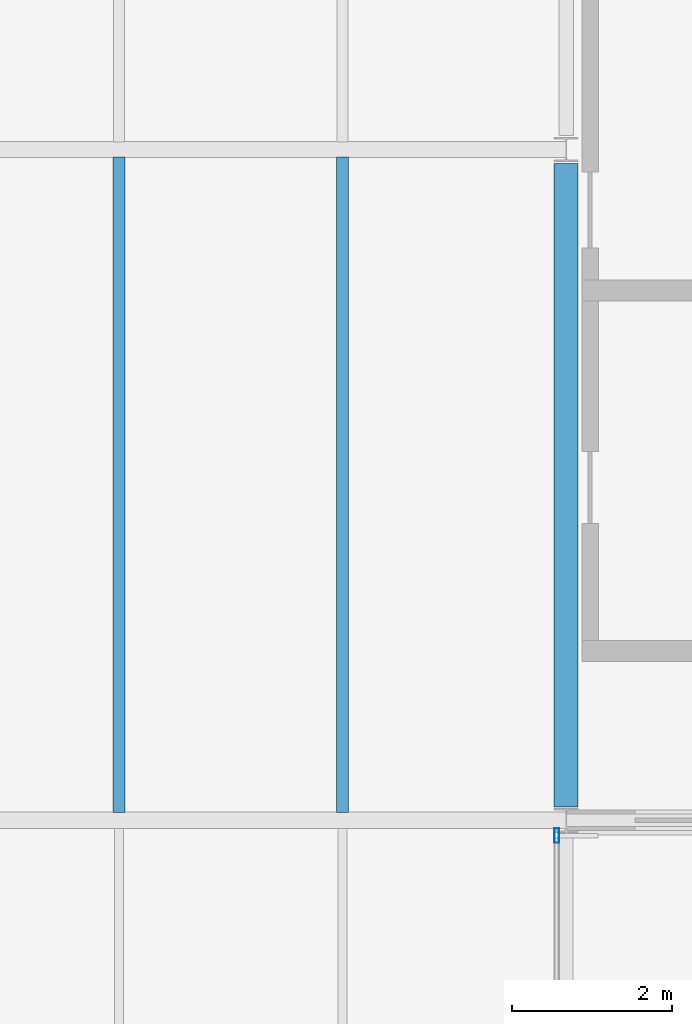
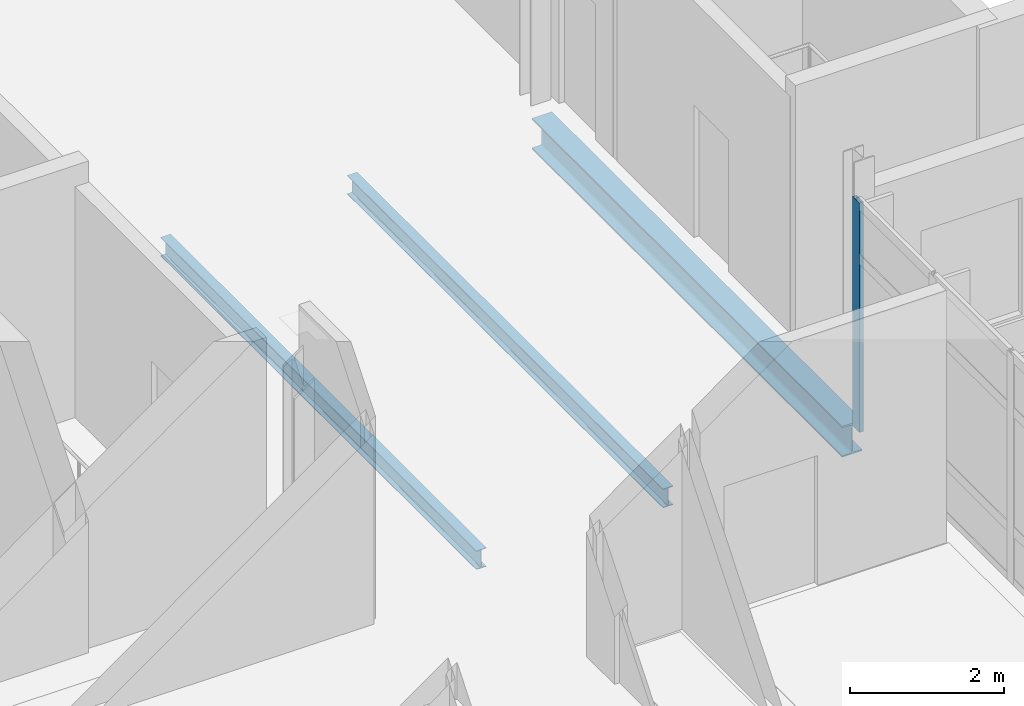
# One storey, part 22 of 35: 3 beams, 1 member, 1 element without a shape of its own.
"""IFC4 building model written with IfcOpenShell, lengths in metres."""

from ifc_helpers import new_model, si_unit, direction, frame, origin, origin_2d, place, context, subcontext, project, spatial, hollow_rectangle, i_section, extrude, material, material_profile, profile_set, type_object, element, aggregate, save


model = new_model("IFC4")

# Units and contexts
model_context = context("Model", 3, precision=1e-05, world=origin(), true_north=direction((0.0, 1.0)))
body_context = subcontext(model_context, "Body", "Model", "MODEL_VIEW")
ifc_project = project(units=[si_unit("LENGTHUNIT", "METRE"), si_unit("AREAUNIT", "SQUARE_METRE"), si_unit("VOLUMEUNIT", "CUBIC_METRE"), si_unit("PLANEANGLEUNIT", "RADIAN"), si_unit("MASSUNIT", "GRAM", prefix="KILO")], contexts=[model_context])

# Site, building, storey
site_placement = place(None, origin())
site = spatial("IfcSite", under=ifc_project, at=site_placement, CompositionType="ELEMENT")
building_placement = place(site_placement, origin())
building = spatial("IfcBuilding", under=site, at=building_placement, Name="Mersafa Astral City Hall", CompositionType="ELEMENT")
storey_placement = place(building_placement, frame((0.0, 0.0, 30.14990234375)))
storey = spatial("IfcBuildingStorey", under=building, at=storey_placement, Name="L07", CompositionType="ELEMENT", Elevation=30.14990234375)

# Curtain wall, member
ifc_material_1 = material(Name="Anodised bronze aluminium framing", Category="aluminium")
curtain_wall_type = type_object("IfcCurtainWallType", Name="ENV-CW-1", PredefinedType="USERDEFINED", material=ifc_material_1)
curtain_wall_placement = place(storey_placement, origin())
curtain_wall = element("IfcCurtainWall", 1, at=curtain_wall_placement, inside=storey, type_object=curtain_wall_type, Name="L07 Unitised solar curtain wall 270", ObjectType="UNITISED CURTAIN WALL", PredefinedType="USERDEFINED")
ifc_material_profile_1 = material_profile(ifc_material_1, hollow_rectangle(XDim=0.06005859375, YDim=0.179931640625, WallThickness=0.00390625, at=origin_2d()), Name="RHS 60x180x4")
ifc_profile_set_1 = profile_set([ifc_material_profile_1], Name="Anodised bronze aluminium framing")
member_type = type_object("IfcMemberType", Name="ENV-CW-MUL-1", PredefinedType="MULLION", material=ifc_profile_set_1)
member_placement = place(storey_placement, frame((167.8798828125, 109.008056640625, -0.001953125), z_axis=(0.0, 0.0, 1.0), x_axis=(-1.0, 0.0, 0.0)))
member = element("IfcMember", 2, at=member_placement, type_object=member_type, Name="CW-1 mullion 5", PredefinedType="MULLION", context=body_context, shape_type="SweptSolid", body=[
    extrude(hollow_rectangle(XDim=0.06005859375, YDim=0.179931640625, WallThickness=0.00390625, at=origin_2d()), origin(), (0.0, 0.0, 1.0), 3.63916015625),
])
aggregate(curtain_wall, [member])

# Beams
ifc_material_2 = material(Name="Steel S355", Category="steel")
ifc_material_profile_2 = material_profile(ifc_material_2, i_section(OverallWidth=0.300048828125, OverallDepth=0.489990234375, WebThickness=0.011962890625, FlangeThickness=0.02294921875, FilletRadius=0.027099609375, at=origin_2d()), Name="HEA 500")
ifc_profile_set_2 = profile_set([ifc_material_profile_2], Name="Steel S355")
beam_type_1 = type_object("IfcBeamType", Name="STR-BM-HEA500", PredefinedType="BEAM", material=ifc_profile_set_2)
beam_placement = place(storey_placement, frame((168.0, 109.364990234375, -0.419921875), z_axis=(0.0, 1.0, 0.0), x_axis=(-1.0, 0.0, 0.0)))
element("IfcBeam", 3, at=beam_placement, inside=storey, type_object=beam_type_1, Name="L07 Primary girder Y 20-13", PredefinedType="BEAM", context=body_context, shape_type="SweptSolid", body=[
    extrude(i_section(OverallWidth=0.300048828125, OverallDepth=0.489990234375, WebThickness=0.011962890625, FlangeThickness=0.02294921875, FilletRadius=0.027099609375, at=origin_2d()), origin(), (0.0, 0.0, 1.0), 8.06005859375),
])
ifc_material_profile_3 = material_profile(ifc_material_2, i_section(OverallWidth=0.14990234375, OverallDepth=0.300048828125, WebThickness=0.007080078125, FlangeThickness=0.0107421875, FilletRadius=0.014892578125, at=origin_2d()), Name="IPE 300")
ifc_profile_set_3 = profile_set([ifc_material_profile_3], Name="Steel S355")
beam_type_2 = type_object("IfcBeamType", Name="STR-BM-JOIST-IPE300", PredefinedType="JOIST", material=ifc_profile_set_3)
for number, where, z_axis, x_axis, name in (
    (4, (162.39990234375, 109.300048828125, -0.324951171875), (0.0, 1.0, 0.0), (-1.0, 0.0, 0.0), "L07 Composite secondary floor joist 914"),
    (5, (165.199951171875, 109.300048828125, -0.324951171875), (0.0, 1.0, 0.0), (-1.0, 0.0, 0.0), "L07 Composite secondary floor joist 915"),
):
    element("IfcBeam", number, at=place(storey_placement, frame(where, z_axis=z_axis, x_axis=x_axis)), inside=storey, type_object=beam_type_2, Name=name, PredefinedType="JOIST", context=body_context, shape_type="SweptSolid", body=[
        extrude(i_section(OverallWidth=0.14990234375, OverallDepth=0.300048828125, WebThickness=0.007080078125, FlangeThickness=0.0107421875, FilletRadius=0.014892578125, at=origin_2d()), origin(), (0.0, 0.0, 1.0), 8.204833984375),
    ])

save(model, "model.ifc")
